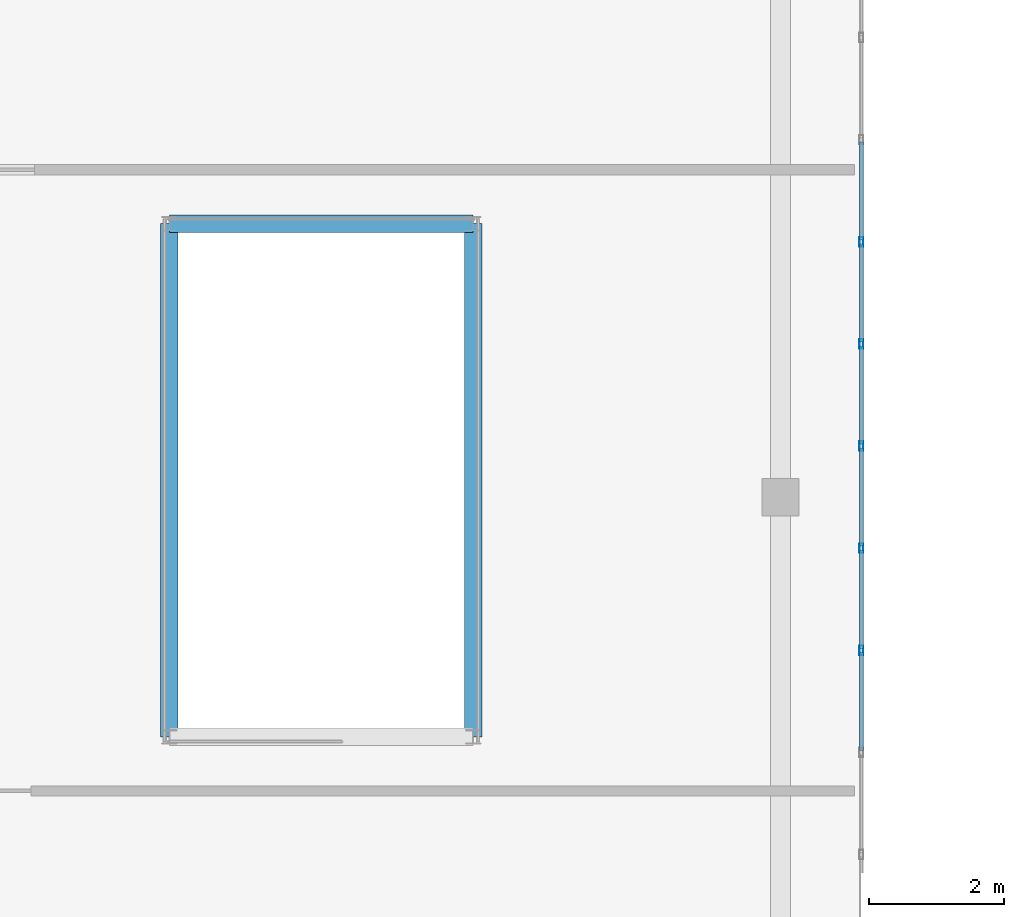
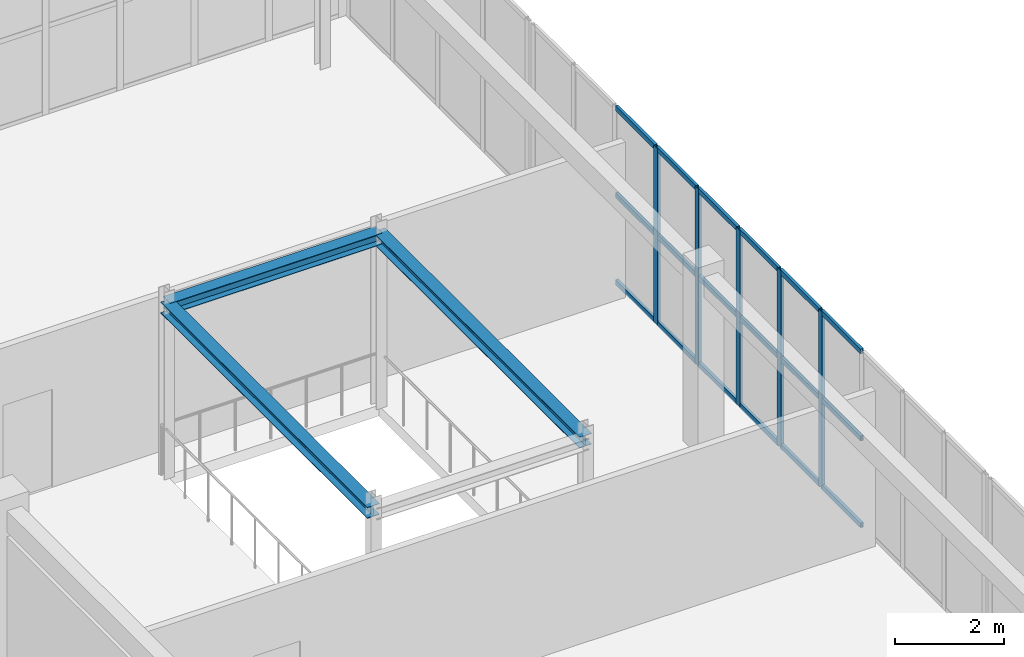
# One storey, part 32 of 81: 23 members, 3 beams, 1 element without a shape of its own.
"""IFC4 building model written with IfcOpenShell, lengths in metres."""

from ifc_helpers import new_model, si_unit, direction, frame, origin, origin_2d, place, context, subcontext, project, spatial, hollow_rectangle, i_section, extrude, material, layer, layer_set, material_profile, profile_set, type_object, element, aggregate, save


model = new_model("IFC4")

# Units and contexts
model_context = context("Model", 3, precision=1e-05, world=origin(), true_north=direction((0.0, 1.0)))
body_context = subcontext(model_context, "Body", "Model", "MODEL_VIEW")
ifc_project = project(units=[si_unit("LENGTHUNIT", "METRE"), si_unit("AREAUNIT", "SQUARE_METRE"), si_unit("VOLUMEUNIT", "CUBIC_METRE"), si_unit("PLANEANGLEUNIT", "RADIAN"), si_unit("MASSUNIT", "GRAM", prefix="KILO")], contexts=[model_context])

# Site, building, storey
site_placement = place(None, origin())
site = spatial("IfcSite", under=ifc_project, at=site_placement, CompositionType="ELEMENT")
building_placement = place(site_placement, origin())
building = spatial("IfcBuilding", under=site, at=building_placement, Name="Trelvath General Hospital", CompositionType="ELEMENT")
storey_placement = place(building_placement, frame((0.0, 0.0, 24.60009765625)))
storey = spatial("IfcBuildingStorey", under=building, at=storey_placement, Name="L06", CompositionType="ELEMENT", Elevation=24.60009765625)

# Curtain wall, members
ifc_material_1 = material(Name="Anodised aluminium and low-E glass", Category="aluminium")
ifc_layer = layer(ifc_material_1, 0.139892578125)
ifc_layer_set = layer_set([ifc_layer], Name="Anodised aluminium and low-E glass")
curtain_wall_type = type_object("IfcCurtainWallType", Name="CW CrystalCube 1664 396 14", PredefinedType="USERDEFINED", material=ifc_layer_set)
curtain_wall_placement = place(storey_placement, origin())
curtain_wall = element("IfcCurtainWall", 1, at=curtain_wall_placement, inside=storey, type_object=curtain_wall_type, Name="Crystal Cube Curtain Wall CUBE-E-T2 E2 L06", ObjectType="Unitised Glazed Curtain Wall", PredefinedType="USERDEFINED")
ifc_material_2 = material(Name="Anodised aluminium", Category="aluminium")
ifc_material_profile_1 = material_profile(ifc_material_2, hollow_rectangle(XDim=0.06005859375, YDim=0.139892578125, WallThickness=0.00390625, at=origin_2d()), Name="RHS60x140x4")
ifc_profile_set_1 = profile_set([ifc_material_profile_1], Name="Anodised aluminium")
member_type_1 = type_object("IfcMemberType", Name="CurtainMullion 60x140", PredefinedType="MULLION", material=ifc_profile_set_1)
member_1_placement = place(storey_placement, frame((108.39990234375, 62.581787109375, 0.0), z_axis=(0.0, 0.0, 1.0), x_axis=(1.0, 0.0, 0.0)))
member_1 = element("IfcMember", 2, at=member_1_placement, type_object=member_type_1, Name="CW-337 mullion 4", PredefinedType="MULLION", context=body_context, shape_type="SweptSolid", body=[
    extrude(hollow_rectangle(XDim=0.06005859375, YDim=0.139892578125, WallThickness=0.00390625, at=origin_2d()), origin(), (0.0, 0.0, 1.0), 3.9599609375),
])
member_2_placement = place(storey_placement, frame((108.39990234375, 61.069091796875, 0.0), z_axis=(0.0, 0.0, 1.0), x_axis=(1.0, 0.0, 0.0)))
member_2 = element("IfcMember", 3, at=member_2_placement, type_object=member_type_1, Name="CW-337 mullion 5", PredefinedType="MULLION", context=body_context, shape_type="SweptSolid", body=[
    extrude(hollow_rectangle(XDim=0.06005859375, YDim=0.139892578125, WallThickness=0.00390625, at=origin_2d()), origin(), (0.0, 0.0, 1.0), 3.9599609375),
])
member_3_placement = place(storey_placement, frame((108.39990234375, 59.556396484375, 0.0), z_axis=(0.0, 0.0, 1.0), x_axis=(1.0, 0.0, 0.0)))
member_3 = element("IfcMember", 4, at=member_3_placement, type_object=member_type_1, Name="CW-337 mullion 6", PredefinedType="MULLION", context=body_context, shape_type="SweptSolid", body=[
    extrude(hollow_rectangle(XDim=0.06005859375, YDim=0.139892578125, WallThickness=0.00390625, at=origin_2d()), origin(), (0.0, 0.0, 1.0), 3.9599609375),
])
member_4_placement = place(storey_placement, frame((108.39990234375, 58.043701171875, 0.0), z_axis=(0.0, 0.0, 1.0), x_axis=(1.0, 0.0, 0.0)))
member_4 = element("IfcMember", 5, at=member_4_placement, type_object=member_type_1, Name="CW-337 mullion 7", PredefinedType="MULLION", context=body_context, shape_type="SweptSolid", body=[
    extrude(hollow_rectangle(XDim=0.06005859375, YDim=0.139892578125, WallThickness=0.00390625, at=origin_2d()), origin(), (0.0, 0.0, 1.0), 3.9599609375),
])
member_5_placement = place(storey_placement, frame((108.39990234375, 56.531005859375, 0.0), z_axis=(0.0, 0.0, 1.0), x_axis=(1.0, 0.0, 0.0)))
member_5 = element("IfcMember", 6, at=member_5_placement, type_object=member_type_1, Name="CW-337 mullion 8", PredefinedType="MULLION", context=body_context, shape_type="SweptSolid", body=[
    extrude(hollow_rectangle(XDim=0.06005859375, YDim=0.139892578125, WallThickness=0.00390625, at=origin_2d()), origin(), (0.0, 0.0, 1.0), 3.9599609375),
])
ifc_material_3 = material(Name="Anodised aluminium", Category="aluminium")
ifc_material_profile_2 = material_profile(ifc_material_3, hollow_rectangle(XDim=0.06005859375, YDim=0.110107421875, WallThickness=0.00390625, at=origin_2d()), Name="RHS60x110x4")
ifc_profile_set_2 = profile_set([ifc_material_profile_2], Name="Anodised aluminium")
member_type_2 = type_object("IfcMemberType", Name="CurtainTransom 60x110", PredefinedType="USERDEFINED", material=ifc_profile_set_2)
member_6_placement = place(storey_placement, frame((108.39990234375, 64.064453125, 0.02978515625), z_axis=(0.0, -1.0, 0.0), x_axis=(1.0, 0.0, 0.0)))
member_6 = element("IfcMember", 7, at=member_6_placement, type_object=member_type_2, Name="CW-337 transom 3.1", ObjectType="TRANSOM", PredefinedType="USERDEFINED", context=body_context, shape_type="SweptSolid", body=[
    extrude(hollow_rectangle(XDim=0.06005859375, YDim=0.110107421875, WallThickness=0.00390625, at=origin_2d()), origin(), (0.0, 0.0, 1.0), 1.45263671875),
])
member_7_placement = place(storey_placement, frame((108.39990234375, 64.064453125, 1.97998046875), z_axis=(0.0, -1.0, 0.0), x_axis=(1.0, 0.0, 0.0)))
member_7 = element("IfcMember", 8, at=member_7_placement, type_object=member_type_2, Name="CW-337 transom 3.2", ObjectType="TRANSOM", PredefinedType="USERDEFINED", context=body_context, shape_type="SweptSolid", body=[
    extrude(hollow_rectangle(XDim=0.06005859375, YDim=0.110107421875, WallThickness=0.00390625, at=origin_2d()), origin(), (0.0, 0.0, 1.0), 1.45263671875),
])
member_8_placement = place(storey_placement, frame((108.39990234375, 64.064453125, 3.929931640625), z_axis=(0.0, -1.0, 0.0), x_axis=(1.0, 0.0, 0.0)))
member_8 = element("IfcMember", 9, at=member_8_placement, type_object=member_type_2, Name="CW-337 transom 3.3", ObjectType="TRANSOM", PredefinedType="USERDEFINED", context=body_context, shape_type="SweptSolid", body=[
    extrude(hollow_rectangle(XDim=0.06005859375, YDim=0.110107421875, WallThickness=0.00390625, at=origin_2d()), origin(), (0.0, 0.0, 1.0), 1.45263671875),
])
member_9_placement = place(storey_placement, frame((108.39990234375, 62.5517578125, 0.02978515625), z_axis=(0.0, -1.0, 0.0), x_axis=(1.0, 0.0, 0.0)))
member_9 = element("IfcMember", 10, at=member_9_placement, type_object=member_type_2, Name="CW-337 transom 4.1", ObjectType="TRANSOM", PredefinedType="USERDEFINED", context=body_context, shape_type="SweptSolid", body=[
    extrude(hollow_rectangle(XDim=0.06005859375, YDim=0.110107421875, WallThickness=0.00390625, at=origin_2d()), origin(), (0.0, 0.0, 1.0), 1.45263671875),
])
member_10_placement = place(storey_placement, frame((108.39990234375, 62.5517578125, 1.97998046875), z_axis=(0.0, -1.0, 0.0), x_axis=(1.0, 0.0, 0.0)))
member_10 = element("IfcMember", 11, at=member_10_placement, type_object=member_type_2, Name="CW-337 transom 4.2", ObjectType="TRANSOM", PredefinedType="USERDEFINED", context=body_context, shape_type="SweptSolid", body=[
    extrude(hollow_rectangle(XDim=0.06005859375, YDim=0.110107421875, WallThickness=0.00390625, at=origin_2d()), origin(), (0.0, 0.0, 1.0), 1.45263671875),
])
member_11_placement = place(storey_placement, frame((108.39990234375, 62.5517578125, 3.929931640625), z_axis=(0.0, -1.0, 0.0), x_axis=(1.0, 0.0, 0.0)))
member_11 = element("IfcMember", 12, at=member_11_placement, type_object=member_type_2, Name="CW-337 transom 4.3", ObjectType="TRANSOM", PredefinedType="USERDEFINED", context=body_context, shape_type="SweptSolid", body=[
    extrude(hollow_rectangle(XDim=0.06005859375, YDim=0.110107421875, WallThickness=0.00390625, at=origin_2d()), origin(), (0.0, 0.0, 1.0), 1.45263671875),
])
member_12_placement = place(storey_placement, frame((108.39990234375, 61.0390625, 0.02978515625), z_axis=(0.0, -1.0, 0.0), x_axis=(1.0, 0.0, 0.0)))
member_12 = element("IfcMember", 13, at=member_12_placement, type_object=member_type_2, Name="CW-337 transom 5.1", ObjectType="TRANSOM", PredefinedType="USERDEFINED", context=body_context, shape_type="SweptSolid", body=[
    extrude(hollow_rectangle(XDim=0.06005859375, YDim=0.110107421875, WallThickness=0.00390625, at=origin_2d()), origin(), (0.0, 0.0, 1.0), 1.45263671875),
])
member_13_placement = place(storey_placement, frame((108.39990234375, 61.0390625, 1.97998046875), z_axis=(0.0, -1.0, 0.0), x_axis=(1.0, 0.0, 0.0)))
member_13 = element("IfcMember", 14, at=member_13_placement, type_object=member_type_2, Name="CW-337 transom 5.2", ObjectType="TRANSOM", PredefinedType="USERDEFINED", context=body_context, shape_type="SweptSolid", body=[
    extrude(hollow_rectangle(XDim=0.06005859375, YDim=0.110107421875, WallThickness=0.00390625, at=origin_2d()), origin(), (0.0, 0.0, 1.0), 1.45263671875),
])
member_14_placement = place(storey_placement, frame((108.39990234375, 61.0390625, 3.929931640625), z_axis=(0.0, -1.0, 0.0), x_axis=(1.0, 0.0, 0.0)))
member_14 = element("IfcMember", 15, at=member_14_placement, type_object=member_type_2, Name="CW-337 transom 5.3", ObjectType="TRANSOM", PredefinedType="USERDEFINED", context=body_context, shape_type="SweptSolid", body=[
    extrude(hollow_rectangle(XDim=0.06005859375, YDim=0.110107421875, WallThickness=0.00390625, at=origin_2d()), origin(), (0.0, 0.0, 1.0), 1.45263671875),
])
member_15_placement = place(storey_placement, frame((108.39990234375, 59.5263671875, 0.02978515625), z_axis=(0.0, -1.0, 0.0), x_axis=(1.0, 0.0, 0.0)))
member_15 = element("IfcMember", 16, at=member_15_placement, type_object=member_type_2, Name="CW-337 transom 6.1", ObjectType="TRANSOM", PredefinedType="USERDEFINED", context=body_context, shape_type="SweptSolid", body=[
    extrude(hollow_rectangle(XDim=0.06005859375, YDim=0.110107421875, WallThickness=0.00390625, at=origin_2d()), origin(), (0.0, 0.0, 1.0), 1.45263671875),
])
member_16_placement = place(storey_placement, frame((108.39990234375, 59.5263671875, 1.97998046875), z_axis=(0.0, -1.0, 0.0), x_axis=(1.0, 0.0, 0.0)))
member_16 = element("IfcMember", 17, at=member_16_placement, type_object=member_type_2, Name="CW-337 transom 6.2", ObjectType="TRANSOM", PredefinedType="USERDEFINED", context=body_context, shape_type="SweptSolid", body=[
    extrude(hollow_rectangle(XDim=0.06005859375, YDim=0.110107421875, WallThickness=0.00390625, at=origin_2d()), origin(), (0.0, 0.0, 1.0), 1.45263671875),
])
member_17_placement = place(storey_placement, frame((108.39990234375, 59.5263671875, 3.929931640625), z_axis=(0.0, -1.0, 0.0), x_axis=(1.0, 0.0, 0.0)))
member_17 = element("IfcMember", 18, at=member_17_placement, type_object=member_type_2, Name="CW-337 transom 6.3", ObjectType="TRANSOM", PredefinedType="USERDEFINED", context=body_context, shape_type="SweptSolid", body=[
    extrude(hollow_rectangle(XDim=0.06005859375, YDim=0.110107421875, WallThickness=0.00390625, at=origin_2d()), origin(), (0.0, 0.0, 1.0), 1.45263671875),
])
member_18_placement = place(storey_placement, frame((108.39990234375, 58.013671875, 0.02978515625), z_axis=(0.0, -1.0, 0.0), x_axis=(1.0, 0.0, 0.0)))
member_18 = element("IfcMember", 19, at=member_18_placement, type_object=member_type_2, Name="CW-337 transom 7.1", ObjectType="TRANSOM", PredefinedType="USERDEFINED", context=body_context, shape_type="SweptSolid", body=[
    extrude(hollow_rectangle(XDim=0.06005859375, YDim=0.110107421875, WallThickness=0.00390625, at=origin_2d()), origin(), (0.0, 0.0, 1.0), 1.452880859375),
])
member_19_placement = place(storey_placement, frame((108.39990234375, 58.013671875, 1.97998046875), z_axis=(0.0, -1.0, 0.0), x_axis=(1.0, 0.0, 0.0)))
member_19 = element("IfcMember", 20, at=member_19_placement, type_object=member_type_2, Name="CW-337 transom 7.2", ObjectType="TRANSOM", PredefinedType="USERDEFINED", context=body_context, shape_type="SweptSolid", body=[
    extrude(hollow_rectangle(XDim=0.06005859375, YDim=0.110107421875, WallThickness=0.00390625, at=origin_2d()), origin(), (0.0, 0.0, 1.0), 1.452880859375),
])
member_20_placement = place(storey_placement, frame((108.39990234375, 58.013671875, 3.929931640625), z_axis=(0.0, -1.0, 0.0), x_axis=(1.0, 0.0, 0.0)))
member_20 = element("IfcMember", 21, at=member_20_placement, type_object=member_type_2, Name="CW-337 transom 7.3", ObjectType="TRANSOM", PredefinedType="USERDEFINED", context=body_context, shape_type="SweptSolid", body=[
    extrude(hollow_rectangle(XDim=0.06005859375, YDim=0.110107421875, WallThickness=0.00390625, at=origin_2d()), origin(), (0.0, 0.0, 1.0), 1.452880859375),
])
member_21_placement = place(storey_placement, frame((108.39990234375, 56.5009765625, 0.02978515625), z_axis=(0.0, -1.0, 0.0), x_axis=(1.0, 0.0, 0.0)))
member_21 = element("IfcMember", 22, at=member_21_placement, type_object=member_type_2, Name="CW-337 transom 8.1", ObjectType="TRANSOM", PredefinedType="USERDEFINED", context=body_context, shape_type="SweptSolid", body=[
    extrude(hollow_rectangle(XDim=0.06005859375, YDim=0.110107421875, WallThickness=0.00390625, at=origin_2d()), origin(), (0.0, 0.0, 1.0), 1.452880859375),
])
member_22_placement = place(storey_placement, frame((108.39990234375, 56.5009765625, 1.97998046875), z_axis=(0.0, -1.0, 0.0), x_axis=(1.0, 0.0, 0.0)))
member_22 = element("IfcMember", 23, at=member_22_placement, type_object=member_type_2, Name="CW-337 transom 8.2", ObjectType="TRANSOM", PredefinedType="USERDEFINED", context=body_context, shape_type="SweptSolid", body=[
    extrude(hollow_rectangle(XDim=0.06005859375, YDim=0.110107421875, WallThickness=0.00390625, at=origin_2d()), origin(), (0.0, 0.0, 1.0), 1.452880859375),
])
member_23_placement = place(storey_placement, frame((108.39990234375, 56.5009765625, 3.929931640625), z_axis=(0.0, -1.0, 0.0), x_axis=(1.0, 0.0, 0.0)))
member_23 = element("IfcMember", 24, at=member_23_placement, type_object=member_type_2, Name="CW-337 transom 8.3", ObjectType="TRANSOM", PredefinedType="USERDEFINED", context=body_context, shape_type="SweptSolid", body=[
    extrude(hollow_rectangle(XDim=0.06005859375, YDim=0.110107421875, WallThickness=0.00390625, at=origin_2d()), origin(), (0.0, 0.0, 1.0), 1.452880859375),
])
aggregate(curtain_wall, [member_1, member_2, member_3, member_4, member_5, member_6, member_7, member_8, member_9, member_10, member_11, member_12, member_13, member_14, member_15, member_16, member_17, member_18, member_19, member_20, member_21, member_22, member_23])

# Beams
ifc_material_4 = material(Name="Steel S355", Category="steel")
ifc_material_profile_3 = material_profile(ifc_material_4, i_section(OverallWidth=0.260009765625, OverallDepth=0.25, WebThickness=0.007568359375, FlangeThickness=0.012451171875, at=origin_2d()), Name="HEA260")
ifc_profile_set_3 = profile_set([ifc_material_profile_3], Name="Steel S355")
beam_type = type_object("IfcBeamType", Name="RingBeam HEA260", PredefinedType="BEAM", material=ifc_profile_set_3)
beam_placement = place(storey_placement, frame((98.14990234375, 62.85009765625, 3.81494140625), z_axis=(1.0, 0.0, 0.0), x_axis=(0.0, 1.0, 0.0)))
element("IfcBeam", 25, at=beam_placement, inside=storey, type_object=beam_type, Name="Atrium Ring Beam CUBE-E N L06", PredefinedType="BEAM", context=body_context, shape_type="SweptSolid", body=[
    extrude(i_section(OverallWidth=0.260009765625, OverallDepth=0.25, WebThickness=0.007568359375, FlangeThickness=0.012451171875, at=origin_2d()), origin(), (0.0, 0.0, 1.0), 4.5),
])
for number, where, z_axis, x_axis, name in (
    (26, (98.14990234375, 55.25, 3.81494140625), (0.0, 1.0, 0.0), (-1.0, 0.0, 0.0), "Atrium Ring Beam CUBE-E W L06"),
    (27, (102.64990234375, 55.25, 3.81494140625), (0.0, 1.0, 0.0), (-1.0, 0.0, 0.0), "Atrium Ring Beam CUBE-E E L06"),
):
    element("IfcBeam", number, at=place(storey_placement, frame(where, z_axis=z_axis, x_axis=x_axis)), inside=storey, type_object=beam_type, Name=name, PredefinedType="BEAM", context=body_context, shape_type="SweptSolid", body=[
        extrude(i_section(OverallWidth=0.260009765625, OverallDepth=0.25, WebThickness=0.007568359375, FlangeThickness=0.012451171875, at=origin_2d()), origin(), (0.0, 0.0, 1.0), 7.60009765625),
    ])

save(model, "model.ifc")
